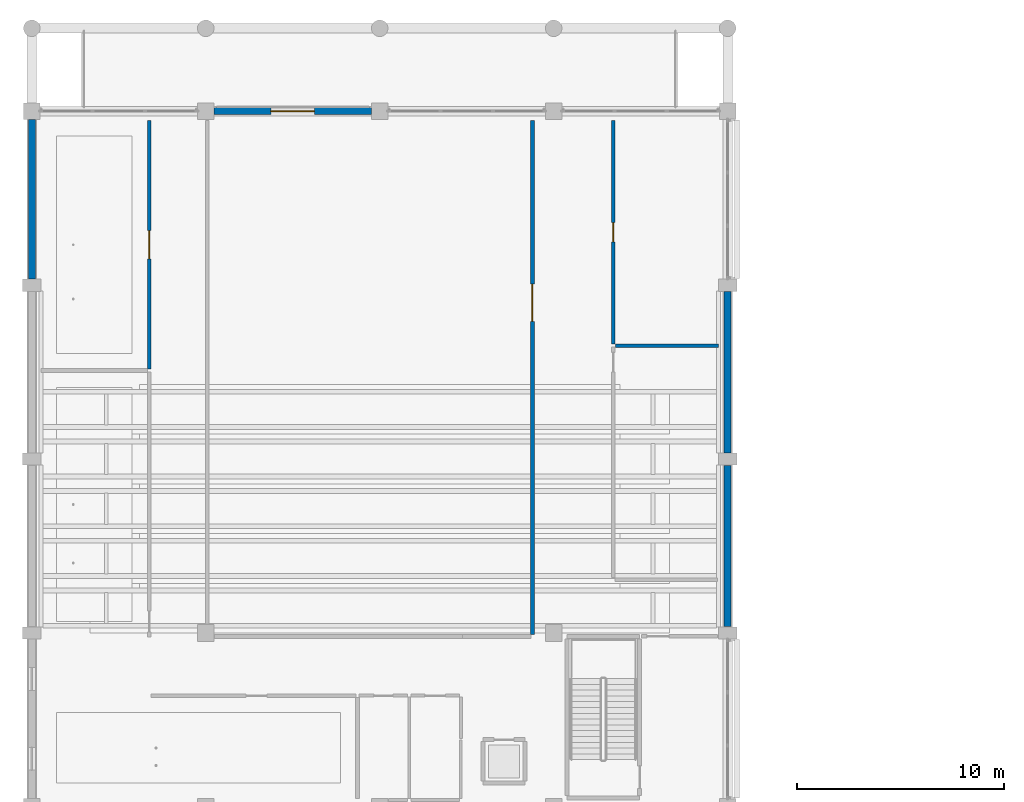
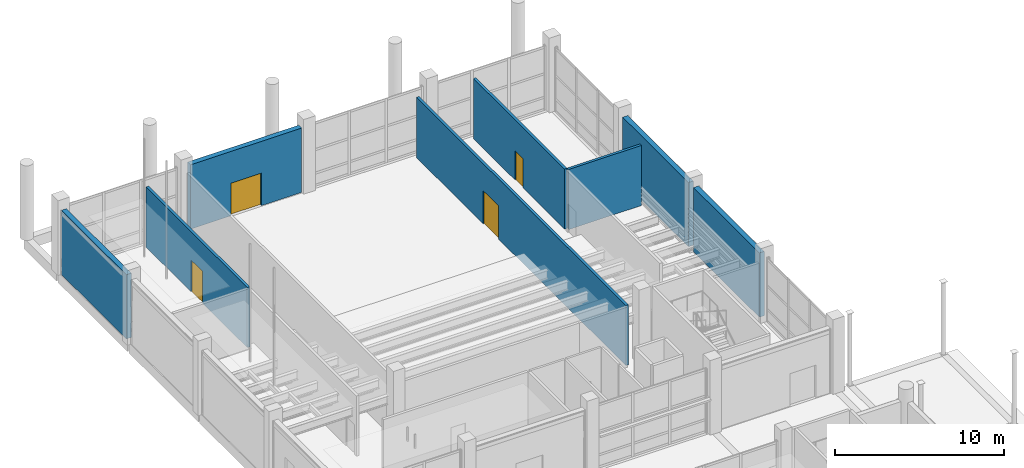
# One storey, part 64 of 140: 8 walls, 4 doors, 4 openings.
"""IFC4 building model written with IfcOpenShell, lengths in metres."""

from ifc_helpers import new_model, si_unit, direction, frame, frame_2d, origin, place, context, subcontext, project, spatial, rectangle, extrude, material, layer, layer_set, type_object, element, fill, save


model = new_model("IFC4")

# Units and contexts
model_context = context("Model", 3, precision=1e-05, world=origin(), true_north=direction((0.0, 1.0)))
body_context = subcontext(model_context, "Body", "Model", "MODEL_VIEW")
ifc_project = project(units=[si_unit("LENGTHUNIT", "METRE"), si_unit("AREAUNIT", "SQUARE_METRE"), si_unit("VOLUMEUNIT", "CUBIC_METRE"), si_unit("PLANEANGLEUNIT", "RADIAN"), si_unit("MASSUNIT", "GRAM", prefix="KILO")], contexts=[model_context])

# Site, building, storey
site_placement = place(None, origin())
site = spatial("IfcSite", under=ifc_project, at=site_placement, CompositionType="ELEMENT")
building_placement = place(site_placement, origin())
building = spatial("IfcBuilding", under=site, at=building_placement, Name="Telukmera Botanical Conservatory", CompositionType="ELEMENT")
storey_placement = place(building_placement, origin())
storey = spatial("IfcBuildingStorey", under=building, at=storey_placement, Name="L00", CompositionType="ELEMENT", Elevation=0.0)

# Wall, opening, door
ifc_material_1 = material(Name="Granite-faced precast concrete C40/50", Category="masonry")
ifc_layer_1 = layer(ifc_material_1, 0.340087890625)
ifc_layer_set_1 = layer_set([ifc_layer_1], Name="Granite-faced precast concrete C40/50")
wall_type_1 = type_object("IfcWallType", Name="Exterior Fluted Acoustic Precast Auditorium Wall 340", PredefinedType="SOLIDWALL", material=ifc_layer_set_1)
wall_1_placement = place(storey_placement, frame((17.201904296875, 116.800048828125, 0.0), z_axis=(0.0, 0.0, 1.0), x_axis=(1.0, 0.0, 0.0)))
wall_1 = element("IfcWall", 1, at=wall_1_placement, inside=storey, type_object=wall_type_1, Name="Exterior Precast Wall EW03 V2:L00:N2", PredefinedType="SOLIDWALL", context=body_context, shape_type="SweptSolid", body=[
    extrude(rectangle(XDim=7.59619140625, YDim=0.340087890625, at=frame_2d((3.798095703125, 0.0))), origin(), (0.0, 0.0, 1.0), 4.64990234375),
])
opening_1_placement = place(wall_1_placement, frame((2.748046875, 0.0, 0.0)))
opening_1 = element("IfcOpeningElement", 2, at=opening_1_placement, cuts=wall_1, Name="Opening D008", PredefinedType="OPENING", context=body_context, shape_type="SweptSolid", body=[
    extrude(rectangle(XDim=2.10009765625, YDim=2.35009765625, at=frame_2d((1.050048828125, 1.175048828125))), frame((0.0, 0.179931640625, 0.0), z_axis=(0.0, -1.0, 0.0), x_axis=(1.0, 0.0, 0.0)), (0.0, 0.0, 1.0), 0.360107421875),
])
ifc_material_2 = material(Name="Thermally broken anodised aluminium glazed door assembly", Category="aluminium")
door_type_1 = type_object("IfcDoorType", Name="Auditorium North Portico Entrance Double Door 2100x2350", OperationType="NOTDEFINED", PredefinedType="DOOR", material=ifc_material_2)
door_1_placement = place(opening_1_placement, origin())
door_1 = element("IfcDoor", 3, at=door_1_placement, inside=storey, type_object=door_type_1, Name="Exterior Door D008", OperationType="DOUBLE_DOOR_SINGLE_SWING", OverallHeight=2.35009765625, OverallWidth=2.10009765625, PredefinedType="DOOR", context=body_context, shape_type="SweptSolid", body=[
    extrude(rectangle(XDim=2.10009765625, YDim=2.35009765625, at=frame_2d((1.050048828125, 1.175048828125))), frame((0.0, 0.02490234375, 0.0), z_axis=(0.0, -1.0, 0.0), x_axis=(1.0, 0.0, 0.0)), (0.0, 0.0, 1.0), 0.050048828125),
])
fill(opening_1, door_1)

# Walls
wall_2_placement = place(storey_placement, frame((8.39990234375, 108.701904296875, 0.0), z_axis=(0.0, 0.0, 1.0), x_axis=(0.0, 1.0, 0.0)))
element("IfcWall", 4, at=wall_2_placement, inside=storey, type_object=wall_type_1, Name="Exterior Precast Wall EW03 V2:L00:W4", PredefinedType="SOLIDWALL", context=body_context, shape_type="SweptSolid", body=[
    extrude(rectangle(XDim=7.696044921875, YDim=0.340087890625, at=frame_2d((3.84814453125, 0.0))), origin(), (0.0, 0.0, 1.0), 4.64990234375),
])
for number, where, z_axis, x_axis, name in (
    (5, (42.0, 91.902099609375, 0.0), (0.0, 0.0, 1.0), (0.0, 1.0, 0.0), "Exterior Precast Wall EW03 V2:L00:E2"),
    (6, (42.0, 100.302001953125, 0.0), (0.0, 0.0, 1.0), (0.0, 1.0, 0.0), "Exterior Precast Wall EW03 V2:L00:E3"),
):
    element("IfcWall", number, at=place(storey_placement, frame(where, z_axis=z_axis, x_axis=x_axis)), inside=storey, type_object=wall_type_1, Name=name, PredefinedType="SOLIDWALL", context=body_context, shape_type="SweptSolid", body=[
        extrude(rectangle(XDim=7.7958984375, YDim=0.340087890625, at=frame_2d((3.89794921875, 0.0))), origin(), (0.0, 0.0, 1.0), 4.64990234375),
    ])

# Wall, opening, door
ifc_material_3 = material(Name="Blockwork acoustic masonry", Category="masonry")
ifc_layer_2 = layer(ifc_material_3, 0.179931640625)
ifc_layer_set_2 = layer_set([ifc_layer_2], Name="Blockwork acoustic masonry")
wall_type_2 = type_object("IfcWallType", Name="WT-AUD-180", PredefinedType="PARTITIONING", material=ifc_layer_set_2)
wall_3_placement = place(storey_placement, frame((32.574951171875, 91.52490234375, 0.0), z_axis=(0.0, 0.0, 1.0), x_axis=(0.0, 1.0, 0.0)))
wall_3 = element("IfcWall", 7, at=wall_3_placement, inside=storey, type_object=wall_type_2, Name="L00 Interior Partition 55", PredefinedType="PARTITIONING", context=body_context, shape_type="SweptSolid", body=[
    extrude(rectangle(XDim=24.8251953125, YDim=0.179931640625, at=frame_2d((12.41259765625, 0.0))), origin(), (0.0, 0.0, 1.0), 4.35009765625),
])
opening_2_placement = place(wall_3_placement, frame((15.116455078125, 0.0, 0.0)))
opening_2 = element("IfcOpeningElement", 8, at=opening_2_placement, cuts=wall_3, Name="Opening ID01", PredefinedType="OPENING", context=body_context, shape_type="SweptSolid", body=[
    extrude(rectangle(XDim=1.800048828125, YDim=2.39990234375, at=frame_2d((0.89990234375, 1.199951171875))), frame((0.0, 0.099853515625, 0.0), z_axis=(0.0, -1.0, 0.0), x_axis=(1.0, 0.0, 0.0)), (0.0, 0.0, 1.0), 0.199951171875),
])
ifc_material_4 = material(Name="Acoustic hardwood double door", Category="wood")
door_type_2 = type_object("IfcDoorType", Name="DT-AUD-180", OperationType="NOTDEFINED", PredefinedType="DOOR", material=ifc_material_4)
door_2_placement = place(opening_2_placement, origin())
door_2 = element("IfcDoor", 9, at=door_2_placement, inside=storey, type_object=door_type_2, Name="L00 Auditorium Hall Door", OperationType="SINGLE_SWING_LEFT", OverallHeight=2.39990234375, OverallWidth=1.800048828125, PredefinedType="DOOR", context=body_context, shape_type="SweptSolid", body=[
    extrude(rectangle(XDim=1.800048828125, YDim=2.39990234375, at=frame_2d((0.89990234375, 1.199951171875))), frame((0.0, 0.02490234375, 0.0), z_axis=(0.0, -1.0, 0.0), x_axis=(1.0, 0.0, 0.0)), (0.0, 0.0, 1.0), 0.050048828125),
])
fill(opening_2, door_2)

wall_4_placement = place(storey_placement, frame((14.074951171875, 104.35009765625, 0.0), z_axis=(0.0, 0.0, 1.0), x_axis=(0.0, 1.0, 0.0)))
wall_4 = element("IfcWall", 10, at=wall_4_placement, inside=storey, type_object=wall_type_2, Name="L00 Interior Partition 57", PredefinedType="PARTITIONING", context=body_context, shape_type="SweptSolid", body=[
    extrude(rectangle(XDim=12.0, YDim=0.179931640625, at=frame_2d((6.0, 0.0))), origin(), (0.0, 0.0, 1.0), 4.35009765625),
])
opening_3_placement = place(wall_4_placement, frame((5.320068359375, 0.0, 0.0)))
opening_3 = element("IfcOpeningElement", 11, at=opening_3_placement, cuts=wall_4, Name="Opening ID06", PredefinedType="OPENING", context=body_context, shape_type="SweptSolid", body=[
    extrude(rectangle(XDim=1.360107421875, YDim=2.300048828125, at=frame_2d((0.68017578125, 1.14990234375))), frame((0.0, 0.099853515625, 0.0), z_axis=(0.0, -1.0, 0.0), x_axis=(1.0, 0.0, 0.0)), (0.0, 0.0, 1.0), 0.199951171875),
])
ifc_material_5 = material(Name="Anodised aluminium glazed door", Category="aluminium")
door_type_3 = type_object("IfcDoorType", Name="DT-CAFE-136", OperationType="NOTDEFINED", PredefinedType="DOOR", material=ifc_material_5)
door_3_placement = place(opening_3_placement, origin())
door_3 = element("IfcDoor", 12, at=door_3_placement, inside=storey, type_object=door_type_3, Name="L00 Symposium Speakers Lounge Door", OperationType="SINGLE_SWING_LEFT", OverallHeight=2.300048828125, OverallWidth=1.360107421875, PredefinedType="DOOR", context=body_context, shape_type="SweptSolid", body=[
    extrude(rectangle(XDim=1.360107421875, YDim=2.300048828125, at=frame_2d((0.68017578125, 1.14990234375))), frame((0.0, 0.02490234375, 0.0), z_axis=(0.0, -1.0, 0.0), x_axis=(1.0, 0.0, 0.0)), (0.0, 0.0, 1.0), 0.050048828125),
])
fill(opening_3, door_3)

wall_5_placement = place(storey_placement, frame((36.47509765625, 105.550048828125, 0.0), z_axis=(0.0, 0.0, 1.0), x_axis=(0.0, 1.0, 0.0)))
wall_5 = element("IfcWall", 13, at=wall_5_placement, inside=storey, type_object=wall_type_2, Name="L00 Interior Partition 61", PredefinedType="PARTITIONING", context=body_context, shape_type="SweptSolid", body=[
    extrude(rectangle(XDim=10.800048828125, YDim=0.179931640625, at=frame_2d((5.39990234375, 0.0))), origin(), (0.0, 0.0, 1.0), 4.35009765625),
])
opening_4_placement = place(wall_5_placement, frame((4.929931640625, 0.0, 0.0)))
opening_4 = element("IfcOpeningElement", 14, at=opening_4_placement, cuts=wall_5, Name="Opening ID16", PredefinedType="OPENING", context=body_context, shape_type="SweptSolid", body=[
    extrude(rectangle(XDim=0.93994140625, YDim=2.10009765625, at=frame_2d((0.469970703125, 1.050048828125))), frame((0.0, 0.099853515625, 0.0), z_axis=(0.0, -1.0, 0.0), x_axis=(1.0, 0.0, 0.0)), (0.0, 0.0, 1.0), 0.199951171875),
])
ifc_material_6 = material(Name="Steel utility store fire door", Category="steel")
door_type_4 = type_object("IfcDoorType", Name="DT-STR-094", OperationType="NOTDEFINED", PredefinedType="DOOR", material=ifc_material_6)
door_4_placement = place(opening_4_placement, frame((0.93994140625, 0.0, 0.0), z_axis=(0.0, 0.0, 1.0), x_axis=(-1.0, 0.0, 0.0)))
door_4 = element("IfcDoor", 15, at=door_4_placement, inside=storey, type_object=door_type_4, Name="L00 Stage Rigging and Piano Store Door", OperationType="SINGLE_SWING_LEFT", OverallHeight=2.10009765625, OverallWidth=0.93994140625, PredefinedType="DOOR", context=body_context, shape_type="SweptSolid", body=[
    extrude(rectangle(XDim=0.93994140625, YDim=2.10009765625, at=frame_2d((0.469970703125, 1.050048828125))), frame((0.0, 0.02490234375, 0.0), z_axis=(0.0, -1.0, 0.0), x_axis=(1.0, 0.0, 0.0)), (0.0, 0.0, 1.0), 0.050048828125),
])
fill(opening_4, door_4)

# Wall
wall_6_placement = place(storey_placement, frame((36.574951171875, 105.47509765625, 0.0), z_axis=(0.0, 0.0, 1.0), x_axis=(1.0, 0.0, 0.0)))
element("IfcWall", 16, at=wall_6_placement, inside=storey, type_object=wall_type_2, Name="L00 Interior Partition 62", PredefinedType="PARTITIONING", context=body_context, shape_type="SweptSolid", body=[
    extrude(rectangle(XDim=4.97509765625, YDim=0.179931640625, at=frame_2d((2.487548828125, 0.0))), origin(), (0.0, 0.0, 1.0), 4.35009765625),
])

save(model, "model.ifc")
